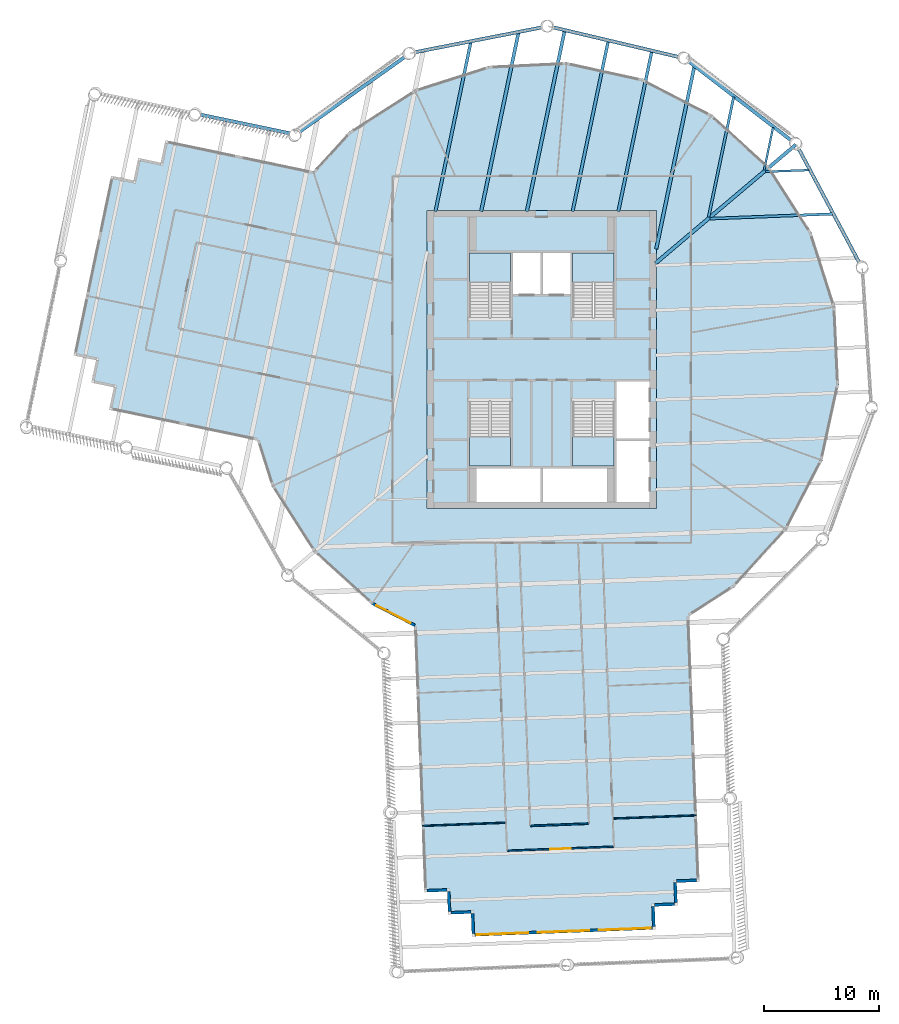
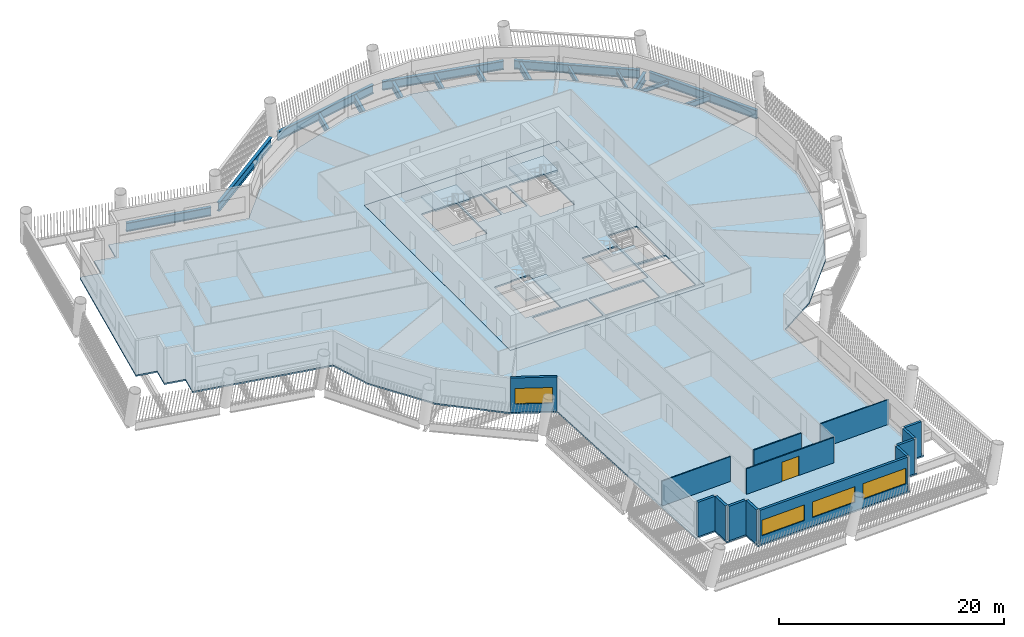
# One storey, part 2 of 14: 17 beams, 14 walls, 6 slabs, 4 windows, 1 door, 5 openings, 4 elements without a shape of their own.
"""IFC4 building model written with IfcOpenShell, lengths in metres."""

import ifcopenshell
import ifcopenshell.guid

model = None  # the IFC model being written
_history = None  # IfcOwnerHistory: only IFC2X3 demands one
_inside = {}  # id of a spatial element -> (the spatial element, [elements in it])
_under = {}  # id of a project, library or spatial element -> (it, [spatial elements below it])
_declared = {}  # id of a project -> (the project, [libraries it declares])
_typed = {}  # id of a type object -> (the type object, [elements of that type])
_made_of = {}  # id of a material, layer set ... -> (it, [elements and type objects made of it])


def new_model(schema):
    """Start an empty IFC model of exactly this schema.

    Asked for "IFC4X3", IfcOpenShell would pick the latest addendum, in which some entities
    have other attributes; the version numbers below select the first issue.
    IFC2X3 requires an IfcOwnerHistory on every rooted entity: one is made here for all.
    """
    global model, _history
    if schema == "IFC4X3":
        model = ifcopenshell.file(schema_version=(4, 3, 0, 0))
    else:
        model = ifcopenshell.file(schema=schema)
    _inside.clear()
    _under.clear()
    _declared.clear()
    _typed.clear()
    _made_of.clear()
    _history = None
    if model.schema == "IFC2X3":
        org = make("IfcOrganization", Name="unknown")
        user = make(
            "IfcPersonAndOrganization",
            ThePerson=make("IfcPerson", FamilyName="unknown"),
            TheOrganization=org,
        )
        app = make(
            "IfcApplication",
            ApplicationDeveloper=org,
            Version="unknown",
            ApplicationFullName="unknown",
            ApplicationIdentifier="unknown",
        )
        _history = make(
            "IfcOwnerHistory",
            OwningUser=user,
            OwningApplication=app,
            ChangeAction="ADDED",
            CreationDate=0,
        )
    return model


def make(cls, **values):
    """One entity of the class cls with the attributes given. An attribute that is None is left unset."""
    return model.create_entity(
        cls, **{name: value for name, value in values.items() if value is not None}
    )


def rooted(cls, **values):
    """An entity with a GlobalId (a new one), such as an element, a storey or a relation."""
    return make(cls, GlobalId=ifcopenshell.guid.new(), OwnerHistory=_history, **values)


def si_unit(unit_type, name, prefix=None):
    """IfcSIUnit, for example si_unit("LENGTHUNIT", "METRE", prefix="MILLI")."""
    return make("IfcSIUnit", UnitType=unit_type, Prefix=prefix, Name=name)


def assignment(units):
    """IfcUnitAssignment: the units of a project."""
    return None if units is None else make("IfcUnitAssignment", Units=units)


def point(xyz):
    """IfcCartesianPoint."""
    return None if xyz is None else make("IfcCartesianPoint", Coordinates=xyz)


def direction(xyz):
    """IfcDirection."""
    return None if xyz is None else make("IfcDirection", DirectionRatios=xyz)


def frame(location, z_axis=None, x_axis=None):
    """IfcAxis2Placement3D, a coordinate frame: its origin and axes. An axis left out is left unset."""
    return make(
        "IfcAxis2Placement3D",
        Location=point(location),
        Axis=direction(z_axis),
        RefDirection=direction(x_axis),
    )


def frame_2d(location, x_axis=None):
    """IfcAxis2Placement2D, a coordinate frame in the plane: its origin and x axis."""
    return make(
        "IfcAxis2Placement2D", Location=point(location), RefDirection=direction(x_axis)
    )


def origin():
    """The frame at (0, 0, 0) with its axes left unset."""
    return frame((0.0, 0.0, 0.0))


def origin_2d():
    """The frame at (0, 0) in the plane with its x axis left unset."""
    return frame_2d((0.0, 0.0))


def place(relative_to, where):
    """IfcLocalPlacement: puts the frame where relative to a parent placement (None: the world)."""
    return make(
        "IfcLocalPlacement", PlacementRelTo=relative_to, RelativePlacement=where
    )


def context(
    kind, dimensions, precision=None, world=None, true_north=None, identifier=None
):
    """IfcGeometricRepresentationContext, for example the 3D "Model" context."""
    return make(
        "IfcGeometricRepresentationContext",
        ContextIdentifier=identifier,
        ContextType=kind,
        CoordinateSpaceDimension=dimensions,
        Precision=precision,
        WorldCoordinateSystem=world,
        TrueNorth=true_north,
    )


def subcontext(parent, identifier, kind, view, scale=None):
    """IfcGeometricRepresentationSubContext, for example "Body" below "Model"."""
    return make(
        "IfcGeometricRepresentationSubContext",
        ContextIdentifier=identifier,
        ContextType=kind,
        ParentContext=parent,
        TargetScale=scale,
        TargetView=view,
    )


def project(units=None, contexts=None):
    """IfcProject with its units and contexts."""
    return rooted(
        "IfcProject",
        Name="project",
        RepresentationContexts=contexts,
        UnitsInContext=assignment(units),
    )


def spatial(cls, under=None, at=None, **own):
    """A site, building, storey or space (cls), placed at a placement, below another one or the project."""
    s = rooted(cls, ObjectPlacement=at, **own)
    if under is not None:
        _under.setdefault(under.id(), (under, []))[1].append(s)
    return s


def polyline(points):
    """IfcPolyline through the points."""
    return make("IfcPolyline", Points=[point(p) for p in points])


def profile(cls, at=None, kind="AREA", **sizes):
    """A parametric profile (cls). Its sizes go by their IFC names, for example OverallWidth=200.0."""
    return make(cls, ProfileType=kind, Position=at, **sizes)


def rectangle(**sizes):
    """IfcRectangleProfileDef."""
    return profile("IfcRectangleProfileDef", **sizes)


def i_section(**sizes):
    """IfcIShapeProfileDef."""
    return profile("IfcIShapeProfileDef", **sizes)


def outline(outer, holes=None, kind="AREA"):
    """IfcArbitraryClosedProfileDef: a profile drawn as a closed curve; with holes, ...WithVoids."""
    if holes is None:
        return make("IfcArbitraryClosedProfileDef", ProfileType=kind, OuterCurve=outer)
    return make(
        "IfcArbitraryProfileDefWithVoids",
        ProfileType=kind,
        OuterCurve=outer,
        InnerCurves=holes,
    )


def extrude(swept, where, along, depth):
    """IfcExtrudedAreaSolid: the profile swept, set in the frame where, extruded along a direction by depth."""
    return make(
        "IfcExtrudedAreaSolid",
        SweptArea=swept,
        Position=where,
        ExtrudedDirection=direction(along),
        Depth=depth,
    )


def shape(context_of_items, identifier, shape_type, items):
    """IfcShapeRepresentation: the items that make up one representation, for example the "Body"."""
    return make(
        "IfcShapeRepresentation",
        ContextOfItems=context_of_items,
        RepresentationIdentifier=identifier,
        RepresentationType=shape_type,
        Items=items,
    )


def material(Name=None, Category=None):
    """IfcMaterial."""
    return make("IfcMaterial", Name=Name, Category=Category)


def layer(
    of_material, thickness, ventilated=None, Name=None, Category=None, Priority=None
):
    """IfcMaterialLayer: one layer of a wall or slab, of a material (None: an air gap)."""
    return make(
        "IfcMaterialLayer",
        Material=of_material,
        LayerThickness=thickness,
        IsVentilated=ventilated,
        Name=Name,
        Category=Category,
        Priority=Priority,
    )


def layer_set(layers, Name=None):
    """IfcMaterialLayerSet."""
    return make("IfcMaterialLayerSet", MaterialLayers=layers, LayerSetName=Name)


def material_profile(
    of_material, cross_section, Name=None, Category=None, Priority=None
):
    """IfcMaterialProfile: a cross section and its material."""
    return make(
        "IfcMaterialProfile",
        Name=Name,
        Material=of_material,
        Profile=cross_section,
        Priority=Priority,
        Category=Category,
    )


def profile_set(profiles, Name=None, composite=None):
    """IfcMaterialProfileSet."""
    return make(
        "IfcMaterialProfileSet",
        Name=Name,
        MaterialProfiles=profiles,
        CompositeProfile=composite,
    )


def made_of(thing, what):
    """Note that an element or type object is made of a material, layer set ...; save() writes the relation."""
    if what is not None:
        _made_of.setdefault(what.id(), (what, []))[1].append(thing)
    return thing


def type_object(cls, material=None, **own):
    """A type object (cls), such as IfcWallType, which elements share."""
    return made_of(rooted(cls, **own), material)


def element(
    cls,
    number,
    at=None,
    inside=None,
    cuts=None,
    type_object=None,
    material=None,
    context=None,
    identifier="Body",
    shape_type=None,
    held_by="IfcProductDefinitionShape",
    body=None,
    shapes=None,
    **own,
):
    """One element of the class cls, such as IfcWall. Its Tag is "e" and its number.

    at: its placement. inside: the storey or other place that contains it. cuts: it is an
    opening in that element (IfcRelVoidsElement). A single representation is given by context,
    identifier, shape_type and body (its items); several are given by shapes. held_by: the class
    of the entity that holds the representations. save() writes the other relations.
    """
    e = rooted(cls, Tag="e%d" % number, ObjectPlacement=at, **own)
    if body is not None:
        shapes = [shape(context, identifier, shape_type, body)]
    if shapes is not None:
        e.Representation = make(held_by, Representations=shapes)
    if inside is not None:
        _inside.setdefault(inside.id(), (inside, []))[1].append(e)
    if cuts is not None:
        rooted(
            "IfcRelVoidsElement", RelatingBuildingElement=cuts, RelatedOpeningElement=e
        )
    if type_object is not None:
        _typed.setdefault(type_object.id(), (type_object, []))[1].append(e)
    return made_of(e, material)


def fill(opening, filler):
    """IfcRelFillsElement: the door or window that sits in an opening."""
    return rooted(
        "IfcRelFillsElement",
        RelatingOpeningElement=opening,
        RelatedBuildingElement=filler,
    )


def aggregate(whole, parts):
    """IfcRelAggregates: a whole, such as a stair, and the parts it consists of."""
    return rooted("IfcRelAggregates", RelatingObject=whole, RelatedObjects=parts)


def save(model, path):
    """Write the relations noted so far, then the file.

    IfcRelAggregates (storeys below a building ...), IfcRelContainedInSpatialStructure (elements
    in a storey), IfcRelDefinesByType, IfcRelAssociatesMaterial and IfcRelDeclares: one each for
    every whole, place, type object, material and project.
    """
    for whole, parts in _under.values():
        aggregate(whole, parts)
    for where, things in _inside.values():
        rooted(
            "IfcRelContainedInSpatialStructure",
            RelatedElements=things,
            RelatingStructure=where,
        )
    for kind, things in _typed.values():
        rooted("IfcRelDefinesByType", RelatedObjects=things, RelatingType=kind)
    for what, things in _made_of.values():
        rooted("IfcRelAssociatesMaterial", RelatedObjects=things, RelatingMaterial=what)
    for by, libraries in _declared.values():
        rooted("IfcRelDeclares", RelatingContext=by, RelatedDefinitions=libraries)
    model.write(path)


model = new_model("IFC4")

# Units and contexts
model_context = context("Model", 3, precision=1e-05, world=origin(), true_north=direction((0.0, 1.0)))
body_context = subcontext(model_context, "Body", "Model", "MODEL_VIEW")
ifc_project = project(units=[si_unit("LENGTHUNIT", "METRE"), si_unit("AREAUNIT", "SQUARE_METRE"), si_unit("VOLUMEUNIT", "CUBIC_METRE"), si_unit("PLANEANGLEUNIT", "RADIAN"), si_unit("MASSUNIT", "GRAM", prefix="KILO")], contexts=[model_context])

# Site, building, storey
site_placement = place(None, origin())
site = spatial("IfcSite", under=ifc_project, at=site_placement, CompositionType="ELEMENT")
building_placement = place(site_placement, origin())
building = spatial("IfcBuilding", under=site, at=building_placement, Name="Tarsis Ring Headquarters", CompositionType="ELEMENT")
storey_placement = place(building_placement, frame((0.0, 0.0, 235.5)))
storey = spatial("IfcBuildingStorey", under=building, at=storey_placement, Name="L55", CompositionType="ELEMENT", Elevation=235.5)

# Beams
ifc_material_1 = material(Name="Structural steel S355", Category="steel")
ifc_material_profile_1 = material_profile(ifc_material_1, i_section(OverallWidth=0.177734375, OverallDepth=0.406494140625, WebThickness=0.0078125, FlangeThickness=0.0126953125, at=origin_2d()), Name="W16x40")
ifc_profile_set_1 = profile_set([ifc_material_profile_1], Name="Structural steel S355")
beam_type_1 = type_object("IfcBeamType", Name="FB Floor beam W16x40", PredefinedType="JOIST", material=ifc_profile_set_1)
beam_1_placement = place(storey_placement, frame((19.505126953125, 16.36083984375, -0.36328125), z_axis=(0.999263636713, 0.038369054498, 0.0), x_axis=(-0.038369054498, 0.999263636713, 0.0)))
element("IfcBeam", 1, at=beam_1_placement, inside=storey, type_object=beam_type_1, Name="Floor beam FB1", PredefinedType="JOIST", context=body_context, shape_type="SweptSolid", body=[
    extrude(i_section(OverallWidth=0.177734375, OverallDepth=0.406494140625, WebThickness=0.0078125, FlangeThickness=0.0126953125, at=origin_2d()), origin(), (0.0, 0.0, 1.0), 3.804931640625),
])
beam_2_placement = place(storey_placement, frame((20.16259765625, 20.228271484375, -0.36328125), z_axis=(-0.20447432854, -0.978871926744, 0.0), x_axis=(0.978871926744, -0.20447432854, 0.0)))
element("IfcBeam", 2, at=beam_2_placement, inside=storey, type_object=beam_type_1, Name="Floor beam FB1", PredefinedType="JOIST", context=body_context, shape_type="SweptSolid", body=[
    extrude(i_section(OverallWidth=0.177734375, OverallDepth=0.406494140625, WebThickness=0.0078125, FlangeThickness=0.0126953125, at=origin_2d()), origin(), (0.0, 0.0, 1.0), 3.80517578125),
])
ifc_material_profile_2 = material_profile(ifc_material_1, i_section(OverallWidth=0.228271484375, OverallDepth=0.607177734375, WebThickness=0.01123046875, FlangeThickness=0.017333984375, at=origin_2d()), Name="W24x76")
ifc_profile_set_2 = profile_set([ifc_material_profile_2], Name="Structural steel S355")
beam_type_2 = type_object("IfcBeamType", Name="FB Floor beam W24x76", PredefinedType="JOIST", material=ifc_profile_set_2)
for number, where, z_axis, x_axis, name in (
    (3, (14.666748046875, 12.27197265625, -0.463623046875), (0.999262928662, 0.038387490171, 0.0), (-0.038387490171, 0.999262928662, 0.0), "Floor beam FB4"),
    (4, (16.731201171875, 22.87353515625, -0.463623046875), (-0.204506268277, -0.978865254382, 0.0), (0.978865254382, -0.204506268277, 0.0), "Floor beam FB4"),
):
    element("IfcBeam", number, at=place(storey_placement, frame(where, z_axis=z_axis, x_axis=x_axis)), inside=storey, type_object=beam_type_2, Name=name, PredefinedType="JOIST", context=body_context, shape_type="SweptSolid", body=[
        extrude(i_section(OverallWidth=0.228271484375, OverallDepth=0.607177734375, WebThickness=0.01123046875, FlangeThickness=0.017333984375, at=origin_2d()), origin(), (0.0, 0.0, 1.0), 10.6845703125),
    ])
ifc_material_profile_3 = material_profile(ifc_material_1, i_section(OverallWidth=0.2666015625, OverallDepth=0.7568359375, WebThickness=0.013916015625, FlangeThickness=0.019287109375, at=origin_2d()), Name="W30x108")
ifc_profile_set_3 = profile_set([ifc_material_profile_3], Name="Structural steel S355")
beam_type_3 = type_object("IfcBeamType", Name="FB Floor beam W30x108", PredefinedType="JOIST", material=ifc_profile_set_3)
beam_3_placement = place(storey_placement, frame((9.594482421875, 26.8544921875, -0.538330078125), z_axis=(-0.20449526194, -0.978867553781, 0.0), x_axis=(0.978867553781, -0.20449526194, 0.0)))
element("IfcBeam", 5, at=beam_3_placement, inside=storey, type_object=beam_type_3, Name="Floor beam FB6", PredefinedType="JOIST", context=body_context, shape_type="SweptSolid", body=[
    extrude(i_section(OverallWidth=0.2666015625, OverallDepth=0.7568359375, WebThickness=0.013916015625, FlangeThickness=0.019287109375, at=origin_2d()), origin(), (0.0, 0.0, 1.0), 14.253662109375),
])
beam_4_placement = place(storey_placement, frame((5.797607421875, 27.7509765625, -0.538330078125), z_axis=(-0.204508868395, -0.978864711157, 0.0), x_axis=(0.978864711157, -0.204508868395, 0.0)))
element("IfcBeam", 6, at=beam_4_placement, inside=storey, type_object=beam_type_3, Name="Floor beam FB6", PredefinedType="JOIST", context=body_context, shape_type="SweptSolid", body=[
    extrude(i_section(OverallWidth=0.2666015625, OverallDepth=0.7568359375, WebThickness=0.013916015625, FlangeThickness=0.019287109375, at=origin_2d()), origin(), (0.0, 0.0, 1.0), 15.16943359375),
])
beam_5_placement = place(storey_placement, frame((-6.173583984375, 27.662353515625, -0.538330078125), z_axis=(-0.204490866417, -0.978868472039, 0.0), x_axis=(0.978868472039, -0.204490866417, 0.0)))
element("IfcBeam", 7, at=beam_5_placement, inside=storey, type_object=beam_type_3, Name="Floor beam FB6", PredefinedType="JOIST", context=body_context, shape_type="SweptSolid", body=[
    extrude(i_section(OverallWidth=0.2666015625, OverallDepth=0.7568359375, WebThickness=0.013916015625, FlangeThickness=0.019287109375, at=origin_2d()), origin(), (0.0, 0.0, 1.0), 15.078857421875),
])
ifc_material_profile_4 = material_profile(ifc_material_1, i_section(OverallWidth=0.2919921875, OverallDepth=0.835693359375, WebThickness=0.013916015625, FlangeThickness=0.018798828125, at=origin_2d()), Name="W33x118")
ifc_profile_set_4 = profile_set([ifc_material_profile_4], Name="Structural steel S355")
beam_type_4 = type_object("IfcBeamType", Name="FB Floor beam W33x118", PredefinedType="JOIST", material=ifc_profile_set_4)
beam_6_placement = place(storey_placement, frame((13.299560546875, 25.51904296875, -0.577880859375), z_axis=(-0.204498283699, -0.9788669225, 0.0), x_axis=(0.9788669225, -0.204498283699, 0.0)))
element("IfcBeam", 8, at=beam_6_placement, inside=storey, type_object=beam_type_4, Name="Floor beam FB7", PredefinedType="JOIST", context=body_context, shape_type="SweptSolid", body=[
    extrude(i_section(OverallWidth=0.2919921875, OverallDepth=0.835693359375, WebThickness=0.013916015625, FlangeThickness=0.018798828125, at=origin_2d()), origin(), (0.0, 0.0, 1.0), 16.235107421875),
])
beam_7_placement = place(storey_placement, frame((2.00048828125, 28.647705078125, -0.577880859375), z_axis=(-0.204488801079, -0.978868903497, 0.0), x_axis=(0.978868903497, -0.204488801079, 0.0)))
element("IfcBeam", 9, at=beam_7_placement, inside=storey, type_object=beam_type_4, Name="Floor beam FB7", PredefinedType="JOIST", context=body_context, shape_type="SweptSolid", body=[
    extrude(i_section(OverallWidth=0.2919921875, OverallDepth=0.835693359375, WebThickness=0.013916015625, FlangeThickness=0.018798828125, at=origin_2d()), origin(), (0.0, 0.0, 1.0), 16.08544921875),
])
beam_8_placement = place(storey_placement, frame((-2.019775390625, 28.473876953125, -0.577880859375), z_axis=(-0.204499668967, -0.978866633098, 0.0), x_axis=(0.978866633098, -0.204499668967, 0.0)))
element("IfcBeam", 10, at=beam_8_placement, inside=storey, type_object=beam_type_4, Name="Floor beam FB7", PredefinedType="JOIST", context=body_context, shape_type="SweptSolid", body=[
    extrude(i_section(OverallWidth=0.2919921875, OverallDepth=0.835693359375, WebThickness=0.013916015625, FlangeThickness=0.018798828125, at=origin_2d()), origin(), (0.0, 0.0, 1.0), 15.907958984375),
])
ifc_material_profile_5 = material_profile(ifc_material_1, i_section(OverallWidth=0.309814453125, OverallDepth=0.949951171875, WebThickness=0.0244140625, FlangeThickness=0.0439453125, at=origin_2d()), Name="W36x256")
ifc_profile_set_5 = profile_set([ifc_material_profile_5], Name="Structural steel S355")
beam_type_5 = type_object("IfcBeamType", Name="FB Floor beam W36x256 spine", PredefinedType="BEAM", material=ifc_profile_set_5)
beam_9_placement = place(storey_placement, frame((22.142333984375, 18.7119140625, -0.635009765625), z_axis=(-0.763794818207, -0.645459120069, 0.0), x_axis=(0.645459120069, -0.763794818207, 0.0)))
element("IfcBeam", 11, at=beam_9_placement, inside=storey, type_object=beam_type_5, Name="Floor beam SB11", PredefinedType="BEAM", context=body_context, shape_type="SweptSolid", body=[
    extrude(i_section(OverallWidth=0.309814453125, OverallDepth=0.949951171875, WebThickness=0.0244140625, FlangeThickness=0.0439453125, at=origin_2d()), origin(), (0.0, 0.0, 1.0), 15.997314453125),
])
beam_type_6 = type_object("IfcBeamType", Name="XG Ring girder W36x256", PredefinedType="BEAM", material=ifc_profile_set_5)
beam_10_placement = place(storey_placement, frame((27.717529296875, 8.361083984375, -0.47509765625), z_axis=(-0.469905617746, 0.882716664854, 0.0), x_axis=(-0.882716664854, -0.469905617746, 0.0)))
element("IfcBeam", 12, at=beam_10_placement, inside=storey, type_object=beam_type_6, Name="Ring girder XG2", PredefinedType="BEAM", context=body_context, shape_type="SweptSolid", body=[
    extrude(i_section(OverallWidth=0.309814453125, OverallDepth=0.949951171875, WebThickness=0.0244140625, FlangeThickness=0.0439453125, at=origin_2d()), origin(), (0.0, 0.0, 1.0), 11.288818359375),
])
beam_11_placement = place(storey_placement, frame((21.806884765625, 19.042724609375, -0.47509765625), z_axis=(-0.791988410503, 0.610536123116, 0.0), x_axis=(-0.610536123116, -0.791988410503, 0.0)))
element("IfcBeam", 13, at=beam_11_placement, inside=storey, type_object=beam_type_6, Name="Ring girder XG2", PredefinedType="BEAM", context=body_context, shape_type="SweptSolid", body=[
    extrude(i_section(OverallWidth=0.309814453125, OverallDepth=0.949951171875, WebThickness=0.0244140625, FlangeThickness=0.0439453125, at=origin_2d()), origin(), (0.0, 0.0, 1.0), 11.28857421875),
])
for number, where, z_axis, x_axis, name in (
    (14, (12.01904296875, 26.33837890625, -0.47509765625), (-0.973235906939, 0.229808331973, 0.0), (-0.229808331973, -0.973235906939, 0.0), "Ring girder XG2"),
    (15, (0.09423828125, 28.950927734375, -0.47509765625), (-0.981441084334, -0.191763912095, 0.0), (0.191763912095, -0.981441084334, 0.0), "Ring girder XG2"),
    (16, (-11.84765625, 26.416015625, -0.47509765625), (-0.815133917578, -0.579272557967, 0.0), (0.579272557967, -0.815133917578, 0.0), "Ring girder XG2"),
):
    element("IfcBeam", number, at=place(storey_placement, frame(where, z_axis=z_axis, x_axis=x_axis)), inside=storey, type_object=beam_type_6, Name=name, PredefinedType="BEAM", context=body_context, shape_type="SweptSolid", body=[
        extrude(i_section(OverallWidth=0.309814453125, OverallDepth=0.949951171875, WebThickness=0.0244140625, FlangeThickness=0.0439453125, at=origin_2d()), origin(), (0.0, 0.0, 1.0), 11.288818359375),
    ])
beam_12_placement = place(storey_placement, frame((-21.91064453125, 19.69677734375, -0.47509765625), z_axis=(-0.97886467018, 0.204509064524, 0.0), x_axis=(-0.204509064524, -0.97886467018, 0.0)))
element("IfcBeam", 17, at=beam_12_placement, inside=storey, type_object=beam_type_6, Name="Ring girder XG2", PredefinedType="BEAM", context=body_context, shape_type="SweptSolid", body=[
    extrude(i_section(OverallWidth=0.309814453125, OverallDepth=0.949951171875, WebThickness=0.0244140625, FlangeThickness=0.0439453125, at=origin_2d()), origin(), (0.0, 0.0, 1.0), 7.9423828125),
])

# Slab
ifc_material_2 = material(Name="Concrete C40/50", Category="concrete")
ifc_layer_1 = layer(ifc_material_2, 0.159912109375)
ifc_layer_set_1 = layer_set([ifc_layer_1], Name="Core floor slab 160 C40/50")
slab_type_1 = type_object("IfcSlabType", Name="Core floor slab 160 C40/50", PredefinedType="FLOOR", material=ifc_layer_set_1)
slab_1_placement = place(storey_placement, frame((0.0, 0.0, -0.159912109375)))
element("IfcSlab", 18, at=slab_1_placement, inside=storey, type_object=slab_type_1, Name="L55 core floor slab", PredefinedType="FLOOR", context=body_context, shape_type="SweptSolid", body=[
    extrude(outline(polyline([(-10.0, -13.0), (10.0, -13.0), (10.0, 13.0), (-10.0, 13.0), (-10.0, -13.0)]), holes=[polyline([(-2.5, 5.699951171875), (-0.10009765625, 5.699951171875), (-0.10009765625, 9.300048828125), (-2.5, 9.300048828125), (-2.5, 5.699951171875)]), polyline([(0.10009765625, 5.699951171875), (2.5, 5.699951171875), (2.5, 9.300048828125), (0.10009765625, 9.300048828125), (0.10009765625, 5.699951171875)]), polyline([(6.5, -12.39990234375), (9.39990234375, -12.39990234375), (9.39990234375, -7.10009765625), (6.5, -7.10009765625), (6.5, -12.39990234375)]), polyline([(6.5, -6.89990234375), (9.39990234375, -6.89990234375), (9.39990234375, -1.89990234375), (6.5, -1.89990234375), (6.5, -6.89990234375)]), polyline([(-5.699951171875, -12.39990234375), (-0.10009765625, -12.39990234375), (-0.10009765625, -9.5), (-5.699951171875, -9.5), (-5.699951171875, -12.39990234375)]), polyline([(0.10009765625, -12.39990234375), (5.699951171875, -12.39990234375), (5.699951171875, -9.5), (0.10009765625, -9.5), (0.10009765625, -12.39990234375)]), polyline([(-2.699951171875, 3.760009765625), (-2.699951171875, 9.300048828125), (-6.300048828125, 9.300048828125), (-6.300048828125, 3.659912109375), (-4.4599609375, 3.659912109375), (-4.4599609375, 3.760009765625), (-2.699951171875, 3.760009765625)]), polyline([(6.300048828125, 3.760009765625), (6.300048828125, 9.300048828125), (2.699951171875, 9.300048828125), (2.699951171875, 3.659912109375), (4.5400390625, 3.659912109375), (4.5400390625, 3.760009765625), (6.300048828125, 3.760009765625)]), polyline([(-6.300048828125, -3.760009765625), (-6.300048828125, -9.300048828125), (-2.699951171875, -9.300048828125), (-2.699951171875, -3.659912109375), (-4.5400390625, -3.659912109375), (-4.5400390625, -3.760009765625), (-6.300048828125, -3.760009765625)]), polyline([(2.699951171875, -3.760009765625), (2.699951171875, -9.300048828125), (6.300048828125, -9.300048828125), (6.300048828125, -3.659912109375), (4.4599609375, -3.659912109375), (4.4599609375, -3.760009765625), (2.699951171875, -3.760009765625)])]), origin(), (0.0, 0.0, 1.0), 0.159912109375),
])

# Stair, slab
ifc_material_3 = material(Name="Core stair 1760")
stair_type = type_object("IfcStairType", Name="Core stair 1760", PredefinedType="HALF_TURN_STAIR", material=ifc_material_3)
stair_1_placement = place(storey_placement, origin())
stair_1 = element("IfcStair", 19, at=stair_1_placement, inside=storey, type_object=stair_type, Name="L55 Firefighting stair", PredefinedType="HALF_TURN_STAIR")
ifc_layer_2 = layer(ifc_material_2, 0.199951171875)
ifc_layer_set_2 = layer_set([ifc_layer_2], Name="Core stair landing 200")
slab_type_2 = type_object("IfcSlabType", Name="Core stair landing 200", PredefinedType="LANDING", material=ifc_layer_set_2)
slab_2_placement = place(storey_placement, frame((0.0, 0.0, 1.75)))
slab_2 = element("IfcSlab", 20, at=slab_2_placement, type_object=slab_type_2, Name="Stair ST1 landing 1", PredefinedType="LANDING", context=body_context, shape_type="SweptSolid", body=[
    extrude(outline(polyline([(-2.699951171875, 6.739990234375), (-2.699951171875, 9.300048828125), (-6.300048828125, 9.300048828125), (-6.300048828125, 6.739990234375), (-2.699951171875, 6.739990234375)])), origin(), (0.0, 0.0, 1.0), 0.199951171875),
])
aggregate(stair_1, [slab_2])

stair_2_placement = place(storey_placement, origin())
stair_2 = element("IfcStair", 21, at=stair_2_placement, inside=storey, type_object=stair_type, Name="L55 Exit stair B", PredefinedType="HALF_TURN_STAIR")
slab_3_placement = place(storey_placement, frame((0.0, 0.0, 1.75)))
slab_3 = element("IfcSlab", 22, at=slab_3_placement, type_object=slab_type_2, Name="Stair ST2 landing 1", PredefinedType="LANDING", context=body_context, shape_type="SweptSolid", body=[
    extrude(outline(polyline([(6.300048828125, 6.739990234375), (6.300048828125, 9.300048828125), (2.699951171875, 9.300048828125), (2.699951171875, 6.739990234375), (6.300048828125, 6.739990234375)])), origin(), (0.0, 0.0, 1.0), 0.199951171875),
])
aggregate(stair_2, [slab_3])

stair_3_placement = place(storey_placement, origin())
stair_3 = element("IfcStair", 23, at=stair_3_placement, inside=storey, type_object=stair_type, Name="L55 Exit stair C", PredefinedType="HALF_TURN_STAIR")
slab_4_placement = place(storey_placement, frame((0.0, 0.0, 1.75)))
slab_4 = element("IfcSlab", 24, at=slab_4_placement, type_object=slab_type_2, Name="Stair ST3 landing 1", PredefinedType="LANDING", context=body_context, shape_type="SweptSolid", body=[
    extrude(outline(polyline([(-6.300048828125, -6.739990234375), (-6.300048828125, -9.300048828125), (-2.699951171875, -9.300048828125), (-2.699951171875, -6.739990234375), (-6.300048828125, -6.739990234375)])), origin(), (0.0, 0.0, 1.0), 0.199951171875),
])
aggregate(stair_3, [slab_4])

stair_4_placement = place(storey_placement, origin())
stair_4 = element("IfcStair", 25, at=stair_4_placement, inside=storey, type_object=stair_type, Name="L55 Exit stair D", PredefinedType="HALF_TURN_STAIR")
slab_5_placement = place(storey_placement, frame((0.0, 0.0, 1.75)))
slab_5 = element("IfcSlab", 26, at=slab_5_placement, type_object=slab_type_2, Name="Stair ST4 landing 1", PredefinedType="LANDING", context=body_context, shape_type="SweptSolid", body=[
    extrude(outline(polyline([(2.699951171875, -6.739990234375), (2.699951171875, -9.300048828125), (6.300048828125, -9.300048828125), (6.300048828125, -6.739990234375), (2.699951171875, -6.739990234375)])), origin(), (0.0, 0.0, 1.0), 0.199951171875),
])
aggregate(stair_4, [slab_5])

# Slab
ifc_material_4 = material(Name="Concrete C35/45", Category="concrete")
ifc_layer_3 = layer(ifc_material_4, 0.159912109375)
ifc_layer_set_3 = layer_set([ifc_layer_3], Name="FS Composite floor slab 160")
slab_type_3 = type_object("IfcSlabType", Name="FS Composite floor slab 160", PredefinedType="FLOOR", material=ifc_layer_set_3)
slab_6_placement = place(storey_placement, frame((0.0, 0.0, -0.159912109375)))
element("IfcSlab", 27, at=slab_6_placement, inside=storey, type_object=slab_type_3, Name="Floor slab L55", PredefinedType="FLOOR", context=body_context, shape_type="SweptSolid", body=[
    extrude(outline(polyline([(-24.799560546875, -7.078125), (-23.525390625, -11.0703125), (-19.858642578125, -16.781982421875), (-14.838623046875, -21.349853515625), (-11.11474609375, -23.271728515625), (-10.225341796875, -46.4267578125), (-8.226806640625, -46.349853515625), (-8.14990234375, -48.348388671875), (-6.1513671875, -48.271728515625), (-6.07470703125, -50.270263671875), (9.91357421875, -49.656005859375), (9.836669921875, -47.657470703125), (11.835205078125, -47.580810546875), (11.758544921875, -45.582275390625), (13.757080078125, -45.50537109375), (12.8681640625, -22.37109375), (16.781982421875, -19.858642578125), (21.349853515625, -14.838623046875), (24.462890625, -8.80712890625), (25.908935546875, -2.175537109375), (25.589111328125, 4.604248046875), (23.525390625, 11.0703125), (19.858642578125, 16.781982421875), (14.838623046875, 21.349853515625), (8.80712890625, 24.462890625), (2.175537109375, 25.908935546875), (-4.604248046875, 25.589111328125), (-11.0703125, 23.525390625), (-16.781982421875, 19.858642578125), (-19.911865234375, 16.4189453125), (-32.78515625, 19.108154296875), (-33.1943359375, 17.150634765625), (-35.152099609375, 17.5595703125), (-35.56103515625, 15.601806640625), (-37.518798828125, 16.0107421875), (-40.790771484375, 0.348876953125), (-38.8330078125, -0.06005859375), (-39.241943359375, -2.017822265625), (-37.2841796875, -2.4267578125), (-37.693115234375, -4.384521484375), (-24.799560546875, -7.078125)]), holes=[polyline([(-10.0, -13.0), (-10.0, 13.0), (10.0, 13.0), (10.0, -13.0), (-10.0, -13.0)])]), origin(), (0.0, 0.0, 1.0), 0.159912109375),
])

# Walls
ifc_material_5 = material(Name="Gypsum board on steel studs", Category="steel")
ifc_layer_4 = layer(ifc_material_5, 0.10009765625)
ifc_layer_set_4 = layer_set([ifc_layer_4], Name="FL partition 100 unrated")
wall_type_1 = type_object("IfcWallType", Name="FL partition 100 unrated", PredefinedType="PARTITIONING", material=ifc_layer_set_4)
for number, where, z_axis, x_axis, name in (
    (28, (6.27001953125, -39.998779296875, 0.0), (0.0, 0.0, 1.0), (0.999263270893, 0.038378580552, 0.0), "Partition PW3"),
    (29, (-10.397705078125, -40.63916015625, 0.0), (0.0, 0.0, 1.0), (0.999261973557, 0.038412344409, 0.0), "Partition PW3"),
):
    element("IfcWall", number, at=place(storey_placement, frame(where, z_axis=z_axis, x_axis=x_axis)), inside=storey, type_object=wall_type_1, Name=name, PredefinedType="PARTITIONING", context=body_context, shape_type="SweptSolid", body=[
        extrude(rectangle(XDim=7.22021484375, YDim=0.10009765625, at=frame_2d((3.610107421875, 0.0))), origin(), (0.0, 0.0, 1.0), 2.699951171875),
    ])

# Wall, opening, door
ifc_layer_5 = layer(ifc_material_5, 0.125)
ifc_layer_set_5 = layer_set([ifc_layer_5], Name="FL partition 125 EI 60 H2770")
wall_type_2 = type_object("IfcWallType", Name="FL partition 125 EI 60 H2770", PredefinedType="PARTITIONING", material=ifc_layer_set_5)
wall_1_placement = place(storey_placement, frame((-2.95849609375, -42.815185546875, 0.0), z_axis=(0.0, 0.0, 1.0), x_axis=(0.999262467612, 0.038399489859, 0.0)))
wall_1 = element("IfcWall", 30, at=wall_1_placement, inside=storey, type_object=wall_type_2, Name="Partition PW1", PredefinedType="PARTITIONING", context=body_context, shape_type="SweptSolid", body=[
    extrude(rectangle(XDim=9.199951171875, YDim=0.125, at=frame_2d((4.60009765625, 0.0))), origin(), (0.0, 0.0, 1.0), 2.77001953125),
])
opening_1_placement = place(wall_1_placement, frame((3.699951171875, 0.0, 0.0)))
opening_1 = element("IfcOpeningElement", 31, at=opening_1_placement, cuts=wall_1, Name="Opening D55.11", PredefinedType="OPENING", context=body_context, shape_type="SweptSolid", body=[
    extrude(rectangle(XDim=1.800048828125, YDim=2.10009765625, at=frame_2d((0.89990234375, 1.050048828125))), frame((0.0, 0.072509765625, 0.0), z_axis=(0.0, -1.0, 0.0), x_axis=(1.0, 0.0, 0.0)), (0.0, 0.0, 1.0), 0.14501953125),
])
ifc_material_6 = material(Name="Fire-rated timber door leaf in steel frame", Category="steel")
door_type = type_object("IfcDoorType", Name="FL door FD60-1800", OperationType="DOUBLE_DOOR_SINGLE_SWING", PredefinedType="DOOR", material=ifc_material_6)
door_placement = place(opening_1_placement, origin())
door = element("IfcDoor", 32, at=door_placement, inside=storey, type_object=door_type, Name="Door D55.11", OperationType="DOUBLE_DOOR_SINGLE_SWING", OverallHeight=2.10009765625, OverallWidth=1.800048828125, PredefinedType="DOOR", context=body_context, shape_type="SweptSolid", body=[
    extrude(rectangle(XDim=1.800048828125, YDim=2.10009765625, at=frame_2d((0.89990234375, 1.050048828125))), frame((0.0, 0.02490234375, 0.0), z_axis=(0.0, -1.0, 0.0), x_axis=(1.0, 0.0, 0.0)), (0.0, 0.0, 1.0), 0.050048828125),
])
fill(opening_1, door)

# Wall
wall_2_placement = place(storey_placement, frame((-0.94091796875, -40.635986328125, 0.0), z_axis=(0.0, 0.0, 1.0), x_axis=(0.999263336661, 0.038376868104, 0.0)))
element("IfcWall", 33, at=wall_2_placement, inside=storey, type_object=wall_type_2, Name="Partition PW1", PredefinedType="PARTITIONING", context=body_context, shape_type="SweptSolid", body=[
    extrude(rectangle(XDim=5.000244140625, YDim=0.125, at=frame_2d((2.5, 0.0))), origin(), (0.0, 0.0, 1.0), 2.77001953125),
])

# Wall, opening, window
ifc_material_7 = material(Name="Terracotta clad insulated panel wall", Category="masonry")
ifc_layer_6 = layer(ifc_material_7, 0.25)
ifc_layer_set_6 = layer_set([ifc_layer_6], Name="Facade wall terracotta panel 250")
wall_type_3 = type_object("IfcWallType", Name="Facade wall terracotta panel 250", PredefinedType="STANDARD", material=ifc_layer_set_6)
wall_3_placement = place(storey_placement, frame((-14.751953125, -21.25390625, 0.0), z_axis=(0.0, 0.0, 1.0), x_axis=(0.888622201167, -0.458639928041, 0.0)))
wall_3 = element("IfcWall", 34, at=wall_3_placement, inside=storey, type_object=wall_type_3, Name="External wall L55-05", PredefinedType="STANDARD", context=body_context, shape_type="SweptSolid", body=[
    extrude(rectangle(XDim=4.157470703125, YDim=0.25, at=frame_2d((2.07861328125, 0.0))), origin(), (0.0, 0.0, 1.0), 3.739990234375),
])
opening_2_placement = place(wall_3_placement, frame((0.38720703125, 0.0, 0.89990234375)))
opening_2 = element("IfcOpeningElement", 35, at=opening_2_placement, cuts=wall_3, Name="Opening WN01", PredefinedType="OPENING", context=body_context, shape_type="SweptSolid", body=[
    extrude(rectangle(XDim=3.35009765625, YDim=1.699951171875, at=frame_2d((1.675048828125, 0.85009765625))), frame((0.0, 0.135009765625, 0.0), z_axis=(0.0, -1.0, 0.0), x_axis=(1.0, 0.0, 0.0)), (0.0, 0.0, 1.0), 0.27001953125),
])
ifc_material_8 = material(Name="Aluminium framed double glazing", Category="aluminium")
window_type_1 = type_object("IfcWindowType", Name="Facade window 3350 x 1700", PartitioningType="SINGLE_PANEL", PredefinedType="WINDOW", material=ifc_material_8)
window_1_placement = place(opening_2_placement, origin())
window_1 = element("IfcWindow", 36, at=window_1_placement, inside=storey, type_object=window_type_1, Name="Window L55-05.1", OverallHeight=1.699951171875, OverallWidth=3.35009765625, PartitioningType="SINGLE_PANEL", PredefinedType="WINDOW", context=body_context, shape_type="SweptSolid", body=[
    extrude(rectangle(XDim=3.35009765625, YDim=1.699951171875, at=frame_2d((1.675048828125, 0.85009765625))), frame((0.0, 0.030029296875, 0.0), z_axis=(0.0, -1.0, 0.0), x_axis=(1.0, 0.0, 0.0)), (0.0, 0.0, 1.0), 0.06005859375),
])
fill(opening_2, window_1)

# Walls
wall_4_placement = place(storey_placement, frame((-9.980224609375, -46.292236328125, 0.0), z_axis=(0.0, 0.0, 1.0), x_axis=(0.999263645644, 0.038368821915, 0.0)))
element("IfcWall", 37, at=wall_4_placement, inside=storey, type_object=wall_type_3, Name="External wall L55-07", PredefinedType="STANDARD", context=body_context, shape_type="SweptSolid", body=[
    extrude(rectangle(XDim=1.749755859375, YDim=0.25, at=frame_2d((0.875, 0.0))), origin(), (0.0, 0.0, 1.0), 3.739990234375),
])
for number, where, z_axis, x_axis, name in (
    (38, (-8.101806640625, -46.34521484375, 0.0), (0.0, 0.0, 1.0), (0.038363473269, -0.999263851002, 0.0), "External wall L55-08"),
    (39, (-7.905029296875, -48.214111328125, 0.0), (0.0, 0.0, 1.0), (0.999258493421, 0.038502770373, 0.0), "External wall L55-09"),
    (40, (-6.026611328125, -48.266845703125, 0.0), (0.0, 0.0, 1.0), (0.038363473269, -0.999263851002, 0.0), "External wall L55-10"),
):
    element("IfcWall", number, at=place(storey_placement, frame(where, z_axis=z_axis, x_axis=x_axis)), inside=storey, type_object=wall_type_3, Name=name, PredefinedType="STANDARD", context=body_context, shape_type="SweptSolid", body=[
        extrude(rectangle(XDim=1.75, YDim=0.25, at=frame_2d((0.875, 0.0))), origin(), (0.0, 0.0, 1.0), 3.739990234375),
    ])

# Wall, openings, windows
wall_5_placement = place(storey_placement, frame((-5.82958984375, -50.1357421875, 0.0), z_axis=(0.0, 0.0, 1.0), x_axis=(0.9992630115, 0.038385333759, 0.0)))
wall_5 = element("IfcWall", 41, at=wall_5_placement, inside=storey, type_object=wall_type_3, Name="External wall L55-11", PredefinedType="STANDARD", context=body_context, shape_type="SweptSolid", body=[
    extrude(rectangle(XDim=15.5, YDim=0.25, at=frame_2d((7.75, 0.0))), origin(), (0.0, 0.0, 1.0), 3.739990234375),
])
opening_3_placement = place(wall_5_placement, frame((0.166748046875, 0.0, 0.89990234375)))
opening_3 = element("IfcOpeningElement", 42, at=opening_3_placement, cuts=wall_5, Name="Opening WN04", PredefinedType="OPENING", context=body_context, shape_type="SweptSolid", body=[
    extrude(rectangle(XDim=4.5, YDim=1.699951171875, at=frame_2d((2.25, 0.85009765625))), frame((0.0, 0.135009765625, 0.0), z_axis=(0.0, -1.0, 0.0), x_axis=(1.0, 0.0, 0.0)), (0.0, 0.0, 1.0), 0.27001953125),
])
opening_4_placement = place(wall_5_placement, frame((5.5, 0.0, 0.89990234375)))
opening_4 = element("IfcOpeningElement", 43, at=opening_4_placement, cuts=wall_5, Name="Opening WN04", PredefinedType="OPENING", context=body_context, shape_type="SweptSolid", body=[
    extrude(rectangle(XDim=4.5, YDim=1.699951171875, at=frame_2d((2.25, 0.85009765625))), frame((0.0, 0.135009765625, 0.0), z_axis=(0.0, -1.0, 0.0), x_axis=(1.0, 0.0, 0.0)), (0.0, 0.0, 1.0), 0.27001953125),
])
opening_5_placement = place(wall_5_placement, frame((10.833251953125, 0.0, 0.89990234375)))
opening_5 = element("IfcOpeningElement", 44, at=opening_5_placement, cuts=wall_5, Name="Opening WN04", PredefinedType="OPENING", context=body_context, shape_type="SweptSolid", body=[
    extrude(rectangle(XDim=4.5, YDim=1.699951171875, at=frame_2d((2.25, 0.85009765625))), frame((0.0, 0.135009765625, 0.0), z_axis=(0.0, -1.0, 0.0), x_axis=(1.0, 0.0, 0.0)), (0.0, 0.0, 1.0), 0.27001953125),
])
window_type_2 = type_object("IfcWindowType", Name="Facade window 4500 x 1700", PartitioningType="SINGLE_PANEL", PredefinedType="WINDOW", material=ifc_material_8)
window_2_placement = place(opening_3_placement, origin())
window_2 = element("IfcWindow", 45, at=window_2_placement, inside=storey, type_object=window_type_2, Name="Window L55-11.1", OverallHeight=1.699951171875, OverallWidth=4.5, PartitioningType="SINGLE_PANEL", PredefinedType="WINDOW", context=body_context, shape_type="SweptSolid", body=[
    extrude(rectangle(XDim=4.5, YDim=1.699951171875, at=frame_2d((2.25, 0.85009765625))), frame((0.0, 0.030029296875, 0.0), z_axis=(0.0, -1.0, 0.0), x_axis=(1.0, 0.0, 0.0)), (0.0, 0.0, 1.0), 0.06005859375),
])
fill(opening_3, window_2)
window_3_placement = place(opening_4_placement, origin())
window_3 = element("IfcWindow", 46, at=window_3_placement, inside=storey, type_object=window_type_2, Name="Window L55-11.2", OverallHeight=1.699951171875, OverallWidth=4.5, PartitioningType="SINGLE_PANEL", PredefinedType="WINDOW", context=body_context, shape_type="SweptSolid", body=[
    extrude(rectangle(XDim=4.5, YDim=1.699951171875, at=frame_2d((2.25, 0.85009765625))), frame((0.0, 0.030029296875, 0.0), z_axis=(0.0, -1.0, 0.0), x_axis=(1.0, 0.0, 0.0)), (0.0, 0.0, 1.0), 0.06005859375),
])
fill(opening_4, window_3)
window_4_placement = place(opening_5_placement, origin())
window_4 = element("IfcWindow", 47, at=window_4_placement, inside=storey, type_object=window_type_2, Name="Window L55-11.3", OverallHeight=1.699951171875, OverallWidth=4.5, PartitioningType="SINGLE_PANEL", PredefinedType="WINDOW", context=body_context, shape_type="SweptSolid", body=[
    extrude(rectangle(XDim=4.5, YDim=1.699951171875, at=frame_2d((2.25, 0.85009765625))), frame((0.0, 0.030029296875, 0.0), z_axis=(0.0, -1.0, 0.0), x_axis=(1.0, 0.0, 0.0)), (0.0, 0.0, 1.0), 0.06005859375),
])
fill(opening_5, window_4)

# Walls
wall_6_placement = place(storey_placement, frame((9.779052734375, -49.4111328125, 0.0), z_axis=(0.0, 0.0, 1.0), x_axis=(-0.038363473269, 0.999263851002, 0.0)))
element("IfcWall", 48, at=wall_6_placement, inside=storey, type_object=wall_type_3, Name="External wall L55-12", PredefinedType="STANDARD", context=body_context, shape_type="SweptSolid", body=[
    extrude(rectangle(XDim=1.75, YDim=0.25, at=frame_2d((0.875, 0.0))), origin(), (0.0, 0.0, 1.0), 3.739990234375),
])
wall_7_placement = place(storey_placement, frame((9.83203125, -47.53271484375, 0.0), z_axis=(0.0, 0.0, 1.0), x_axis=(0.99925828657, 0.038508138382, 0.0)))
element("IfcWall", 49, at=wall_7_placement, inside=storey, type_object=wall_type_3, Name="External wall L55-13", PredefinedType="STANDARD", context=body_context, shape_type="SweptSolid", body=[
    extrude(rectangle(XDim=1.749755859375, YDim=0.25, at=frame_2d((0.875, 0.0))), origin(), (0.0, 0.0, 1.0), 3.739990234375),
])
for number, where, z_axis, x_axis, name in (
    (50, (11.70068359375, -47.335693359375, 0.0), (0.0, 0.0, 1.0), (-0.038363473269, 0.999263851002, 0.0), "External wall L55-14"),
    (51, (11.753662109375, -45.457275390625, 0.0), (0.0, 0.0, 1.0), (0.999263851002, 0.038363473269, 0.0), "External wall L55-15"),
):
    element("IfcWall", number, at=place(storey_placement, frame(where, z_axis=z_axis, x_axis=x_axis)), inside=storey, type_object=wall_type_3, Name=name, PredefinedType="STANDARD", context=body_context, shape_type="SweptSolid", body=[
        extrude(rectangle(XDim=1.75, YDim=0.25, at=frame_2d((0.875, 0.0))), origin(), (0.0, 0.0, 1.0), 3.739990234375),
    ])

save(model, "model.ifc")
